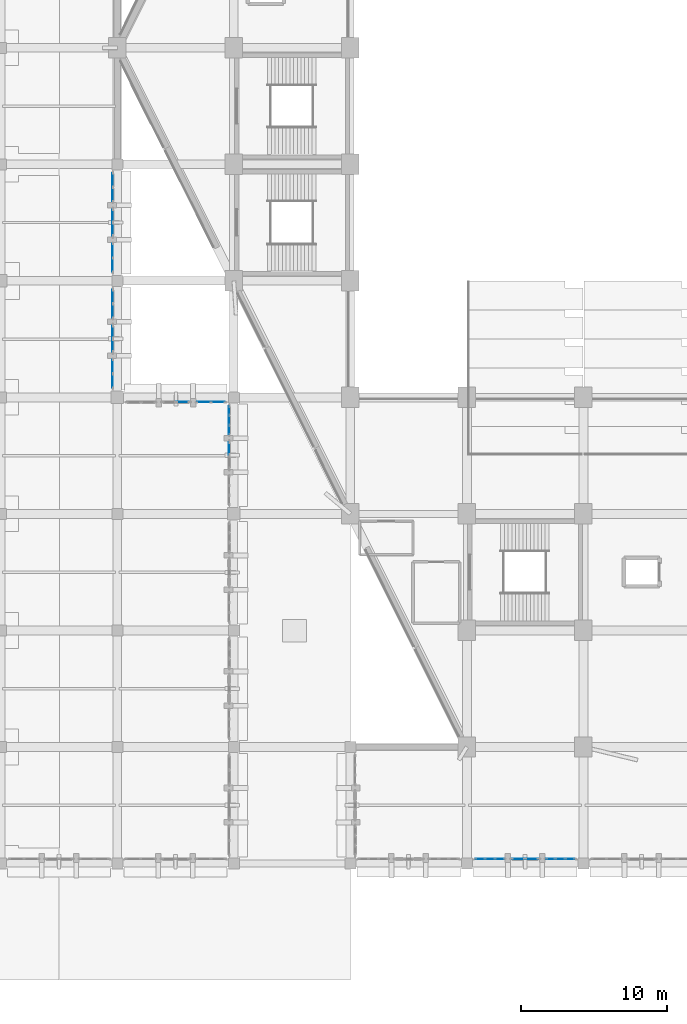
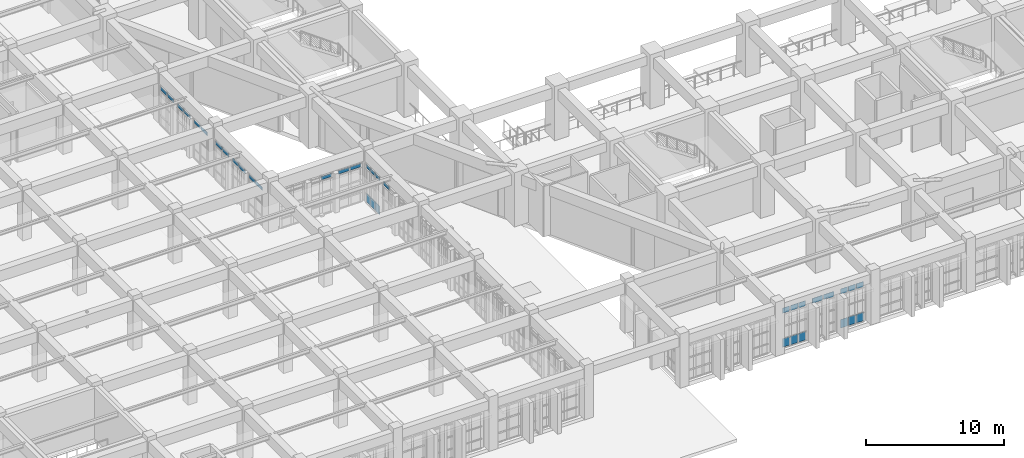
# One storey, part 122 of 155: 36 plates, 13 elements without a shape of their own.
"""IFC4 building model written with IfcOpenShell, lengths in metres."""

from ifc_helpers import new_model, si_unit, direction, frame, origin, origin_2d, place, context, subcontext, project, spatial, rectangle, extrude, material, layer, layer_set, type_object, element, aggregate, save


model = new_model("IFC4")

# Units and contexts
model_context = context("Model", 3, precision=1e-05, world=origin(), true_north=direction((0.0, 1.0)))
body_context = subcontext(model_context, "Body", "Model", "MODEL_VIEW")
ifc_project = project(units=[si_unit("LENGTHUNIT", "METRE"), si_unit("AREAUNIT", "SQUARE_METRE"), si_unit("VOLUMEUNIT", "CUBIC_METRE"), si_unit("PLANEANGLEUNIT", "RADIAN"), si_unit("MASSUNIT", "GRAM", prefix="KILO")], contexts=[model_context])

# Site, building, storey
site_placement = place(None, origin())
site = spatial("IfcSite", under=ifc_project, at=site_placement, CompositionType="ELEMENT")
building_placement = place(site_placement, origin())
building = spatial("IfcBuilding", under=site, at=building_placement, Name="Tazarka Park Arena", CompositionType="ELEMENT")
storey_placement = place(building_placement, frame((0.0, 0.0, 5.39990234375)))
storey = spatial("IfcBuildingStorey", under=building, at=storey_placement, Name="L01", CompositionType="ELEMENT", Elevation=5.39990234375)

# Curtain wall, plates
ifc_material_1 = material(Name="Aluminium and low-e glass", Category="aluminium")
ifc_layer_1 = layer(ifc_material_1, 0.179931640625, Name="Aluminium and low-e glass")
ifc_layer_set_1 = layer_set([ifc_layer_1], Name="Aluminium and low-e glass")
curtain_wall_type_1 = type_object("IfcCurtainWallType", Name="CW-09", PredefinedType="NOTDEFINED", material=ifc_layer_set_1)
curtain_wall_1_placement = place(storey_placement, origin())
curtain_wall_1 = element("IfcCurtainWall", 1, at=curtain_wall_1_placement, inside=storey, type_object=curtain_wall_type_1, Name="Curtain Wall CWA-L01-009", PredefinedType="NOTDEFINED")
ifc_material_2 = material(Name="Double low-e insulated glazing", Category="glass")
ifc_layer_2 = layer(ifc_material_2, 0.028076171875, Name="Double low-e insulated glazing")
ifc_layer_set_2 = layer_set([ifc_layer_2], Name="Double low-e insulated glazing")
plate_type_1 = type_object("IfcPlateType", Name="CWP-01", PredefinedType="CURTAIN_PANEL", material=ifc_layer_set_2)
plate_1_placement = place(storey_placement, frame((66.249755859375, 8.320068359375, 0.065185546875), z_axis=(0.0, 0.0, 1.0), x_axis=(-1.0, 0.0, 0.0)))
plate_1 = element("IfcPlate", 2, at=plate_1_placement, type_object=plate_type_1, Name="CW-09 panel 1.1", PredefinedType="CURTAIN_PANEL", context=body_context, shape_type="SweptSolid", body=[
    extrude(rectangle(XDim=0.5869140625, YDim=0.028076171875, at=origin_2d()), origin(), (0.0, 0.0, 1.0), 0.75244140625),
])
plate_2_placement = place(storey_placement, frame((66.249755859375, 8.320068359375, 3.08251953125), z_axis=(0.0, 0.0, 1.0), x_axis=(-1.0, 0.0, 0.0)))
plate_2 = element("IfcPlate", 3, at=plate_2_placement, type_object=plate_type_1, Name="CW-09 panel 1.4", PredefinedType="CURTAIN_PANEL", context=body_context, shape_type="SweptSolid", body=[
    extrude(rectangle(XDim=0.5869140625, YDim=0.028076171875, at=origin_2d()), origin(), (0.0, 0.0, 1.0), 0.452392578125),
])
plate_3_placement = place(storey_placement, frame((65.58154296875, 8.320068359375, 0.065185546875), z_axis=(0.0, 0.0, 1.0), x_axis=(-1.0, 0.0, 0.0)))
plate_3 = element("IfcPlate", 4, at=plate_3_placement, type_object=plate_type_1, Name="CW-09 panel 2.1", PredefinedType="CURTAIN_PANEL", context=body_context, shape_type="SweptSolid", body=[
    extrude(rectangle(XDim=0.619384765625, YDim=0.028076171875, at=origin_2d()), origin(), (0.0, 0.0, 1.0), 0.75244140625),
])
plate_4_placement = place(storey_placement, frame((65.58154296875, 8.320068359375, 3.08251953125), z_axis=(0.0, 0.0, 1.0), x_axis=(-1.0, 0.0, 0.0)))
plate_4 = element("IfcPlate", 5, at=plate_4_placement, type_object=plate_type_1, Name="CW-09 panel 2.4", PredefinedType="CURTAIN_PANEL", context=body_context, shape_type="SweptSolid", body=[
    extrude(rectangle(XDim=0.619384765625, YDim=0.028076171875, at=origin_2d()), origin(), (0.0, 0.0, 1.0), 0.452392578125),
])
plate_5_placement = place(storey_placement, frame((64.91357421875, 8.320068359375, 0.065185546875), z_axis=(0.0, 0.0, 1.0), x_axis=(-1.0, 0.0, 0.0)))
plate_5 = element("IfcPlate", 6, at=plate_5_placement, type_object=plate_type_1, Name="CW-09 panel 3.1", PredefinedType="CURTAIN_PANEL", context=body_context, shape_type="SweptSolid", body=[
    extrude(rectangle(XDim=0.5869140625, YDim=0.028076171875, at=origin_2d()), origin(), (0.0, 0.0, 1.0), 0.75244140625),
])
plate_6_placement = place(storey_placement, frame((64.91357421875, 8.320068359375, 3.08251953125), z_axis=(0.0, 0.0, 1.0), x_axis=(-1.0, 0.0, 0.0)))
plate_6 = element("IfcPlate", 7, at=plate_6_placement, type_object=plate_type_1, Name="CW-09 panel 3.4", PredefinedType="CURTAIN_PANEL", context=body_context, shape_type="SweptSolid", body=[
    extrude(rectangle(XDim=0.5869140625, YDim=0.028076171875, at=origin_2d()), origin(), (0.0, 0.0, 1.0), 0.452392578125),
])
aggregate(curtain_wall_1, [plate_1, plate_2, plate_3, plate_4, plate_5, plate_6])

ifc_material_3 = material(Name="Aluminium and low-e glass", Category="aluminium")
ifc_layer_3 = layer(ifc_material_3, 0.179931640625, Name="Aluminium and low-e glass")
ifc_layer_set_3 = layer_set([ifc_layer_3], Name="Aluminium and low-e glass")
curtain_wall_type_2 = type_object("IfcCurtainWallType", Name="CW-12", PredefinedType="NOTDEFINED", material=ifc_layer_set_3)
curtain_wall_2_placement = place(storey_placement, origin())
curtain_wall_2 = element("IfcCurtainWall", 8, at=curtain_wall_2_placement, inside=storey, type_object=curtain_wall_type_2, Name="Curtain Wall CWA-L01-102", PredefinedType="NOTDEFINED")
plate_7_placement = place(storey_placement, frame((45.933837890625, 39.679931640625, 3.08251953125), z_axis=(0.0, 0.0, 1.0), x_axis=(1.0, 0.0, 0.0)))
plate_7 = element("IfcPlate", 9, at=plate_7_placement, type_object=plate_type_1, Name="CW-12 panel 1.4", PredefinedType="CURTAIN_PANEL", context=body_context, shape_type="SweptSolid", body=[
    extrude(rectangle(XDim=0.9208984375, YDim=0.028076171875, at=origin_2d()), origin(), (0.0, 0.0, 1.0), 0.302490234375),
])
plate_8_placement = place(storey_placement, frame((46.919677734375, 39.679931640625, 3.08251953125), z_axis=(0.0, 0.0, 1.0), x_axis=(1.0, 0.0, 0.0)))
plate_8 = element("IfcPlate", 10, at=plate_8_placement, type_object=plate_type_1, Name="CW-12 panel 2.4", PredefinedType="CURTAIN_PANEL", context=body_context, shape_type="SweptSolid", body=[
    extrude(rectangle(XDim=0.9208984375, YDim=0.028076171875, at=origin_2d()), origin(), (0.0, 0.0, 1.0), 0.302490234375),
])
aggregate(curtain_wall_2, [plate_7, plate_8])

ifc_material_4 = material(Name="Aluminium and low-e glass", Category="aluminium")
ifc_layer_4 = layer(ifc_material_4, 0.179931640625, Name="Aluminium and low-e glass")
ifc_layer_set_4 = layer_set([ifc_layer_4], Name="Aluminium and low-e glass")
curtain_wall_type_3 = type_object("IfcCurtainWallType", Name="CW-15", PredefinedType="NOTDEFINED", material=ifc_layer_set_4)
curtain_wall_3_placement = place(storey_placement, origin())
curtain_wall_3 = element("IfcCurtainWall", 11, at=curtain_wall_3_placement, inside=storey, type_object=curtain_wall_type_3, Name="Curtain Wall CWA-L01-105", PredefinedType="NOTDEFINED")
plate_9_placement = place(storey_placement, frame((39.679931640625, 42.1162109375, 3.08251953125), z_axis=(0.0, 0.0, 1.0), x_axis=(0.0, -1.0, 0.0)))
plate_9 = element("IfcPlate", 12, at=plate_9_placement, type_object=plate_type_1, Name="CW-15 panel 1.4", PredefinedType="CURTAIN_PANEL", context=body_context, shape_type="SweptSolid", body=[
    extrude(rectangle(XDim=0.9208984375, YDim=0.028076171875, at=origin_2d()), origin(), (0.0, 0.0, 1.0), 0.302490234375),
])
plate_10_placement = place(storey_placement, frame((39.679931640625, 41.13037109375, 3.08251953125), z_axis=(0.0, 0.0, 1.0), x_axis=(0.0, -1.0, 0.0)))
plate_10 = element("IfcPlate", 13, at=plate_10_placement, type_object=plate_type_1, Name="CW-15 panel 2.4", PredefinedType="CURTAIN_PANEL", context=body_context, shape_type="SweptSolid", body=[
    extrude(rectangle(XDim=0.9208984375, YDim=0.028076171875, at=origin_2d()), origin(), (0.0, 0.0, 1.0), 0.302490234375),
])
aggregate(curtain_wall_3, [plate_9, plate_10])

ifc_material_5 = material(Name="Aluminium and low-e glass", Category="aluminium")
ifc_layer_5 = layer(ifc_material_5, 0.179931640625, Name="Aluminium and low-e glass")
ifc_layer_set_5 = layer_set([ifc_layer_5], Name="Aluminium and low-e glass")
curtain_wall_type_4 = type_object("IfcCurtainWallType", Name="CW-18", PredefinedType="NOTDEFINED", material=ifc_layer_set_5)
curtain_wall_4_placement = place(storey_placement, origin())
curtain_wall_4 = element("IfcCurtainWall", 14, at=curtain_wall_4_placement, inside=storey, type_object=curtain_wall_type_4, Name="Curtain Wall CWA-L01-108", PredefinedType="NOTDEFINED")
plate_11_placement = place(storey_placement, frame((39.679931640625, 50.07861328125, 3.08251953125), z_axis=(0.0, 0.0, 1.0), x_axis=(0.0, -1.0, 0.0)))
plate_11 = element("IfcPlate", 15, at=plate_11_placement, type_object=plate_type_1, Name="CW-18 panel 1.4", PredefinedType="CURTAIN_PANEL", context=body_context, shape_type="SweptSolid", body=[
    extrude(rectangle(XDim=0.92919921875, YDim=0.028076171875, at=origin_2d()), origin(), (0.0, 0.0, 1.0), 0.302490234375),
])
plate_12_placement = place(storey_placement, frame((39.679931640625, 49.08447265625, 3.08251953125), z_axis=(0.0, 0.0, 1.0), x_axis=(0.0, -1.0, 0.0)))
plate_12 = element("IfcPlate", 16, at=plate_12_placement, type_object=plate_type_1, Name="CW-18 panel 2.4", PredefinedType="CURTAIN_PANEL", context=body_context, shape_type="SweptSolid", body=[
    extrude(rectangle(XDim=0.92919921875, YDim=0.028076171875, at=origin_2d()), origin(), (0.0, 0.0, 1.0), 0.302490234375),
])
aggregate(curtain_wall_4, [plate_11, plate_12])

ifc_material_6 = material(Name="Aluminium and low-e glass", Category="aluminium")
ifc_layer_6 = layer(ifc_material_6, 0.179931640625, Name="Aluminium and low-e glass")
ifc_layer_set_6 = layer_set([ifc_layer_6], Name="Aluminium and low-e glass")
curtain_wall_type_5 = type_object("IfcCurtainWallType", Name="CW-07", PredefinedType="NOTDEFINED", material=ifc_layer_set_6)
curtain_wall_5_placement = place(storey_placement, origin())
curtain_wall_5 = element("IfcCurtainWall", 17, at=curtain_wall_5_placement, inside=storey, type_object=curtain_wall_type_5, Name="Curtain Wall CWA-L01-007", PredefinedType="NOTDEFINED")
ifc_material_7 = material(Name="Triple acoustic solar glazing", Category="glass")
ifc_layer_7 = layer(ifc_material_7, 0.031982421875, Name="Triple acoustic solar glazing")
ifc_layer_set_7 = layer_set([ifc_layer_7], Name="Triple acoustic solar glazing")
plate_type_2 = type_object("IfcPlateType", Name="CWP-02", PredefinedType="CURTAIN_PANEL", material=ifc_layer_set_7)
plate_13_placement = place(storey_placement, frame((71.08642578125, 8.320068359375, 0.065185546875), z_axis=(0.0, 0.0, 1.0), x_axis=(-1.0, 0.0, 0.0)))
plate_13 = element("IfcPlate", 18, at=plate_13_placement, type_object=plate_type_2, Name="CW-07 panel 1.1", PredefinedType="CURTAIN_PANEL", context=body_context, shape_type="SweptSolid", body=[
    extrude(rectangle(XDim=0.5869140625, YDim=0.031982421875, at=origin_2d()), origin(), (0.0, 0.0, 1.0), 0.75244140625),
])
plate_14_placement = place(storey_placement, frame((71.08642578125, 8.320068359375, 3.08251953125), z_axis=(0.0, 0.0, 1.0), x_axis=(-1.0, 0.0, 0.0)))
plate_14 = element("IfcPlate", 19, at=plate_14_placement, type_object=plate_type_2, Name="CW-07 panel 1.4", PredefinedType="CURTAIN_PANEL", context=body_context, shape_type="SweptSolid", body=[
    extrude(rectangle(XDim=0.5869140625, YDim=0.031982421875, at=origin_2d()), origin(), (0.0, 0.0, 1.0), 0.452392578125),
])
plate_15_placement = place(storey_placement, frame((70.41845703125, 8.320068359375, 0.065185546875), z_axis=(0.0, 0.0, 1.0), x_axis=(-1.0, 0.0, 0.0)))
plate_15 = element("IfcPlate", 20, at=plate_15_placement, type_object=plate_type_2, Name="CW-07 panel 2.1", PredefinedType="CURTAIN_PANEL", context=body_context, shape_type="SweptSolid", body=[
    extrude(rectangle(XDim=0.619384765625, YDim=0.031982421875, at=origin_2d()), origin(), (0.0, 0.0, 1.0), 0.75244140625),
])
plate_16_placement = place(storey_placement, frame((70.41845703125, 8.320068359375, 3.08251953125), z_axis=(0.0, 0.0, 1.0), x_axis=(-1.0, 0.0, 0.0)))
plate_16 = element("IfcPlate", 21, at=plate_16_placement, type_object=plate_type_2, Name="CW-07 panel 2.4", PredefinedType="CURTAIN_PANEL", context=body_context, shape_type="SweptSolid", body=[
    extrude(rectangle(XDim=0.619384765625, YDim=0.031982421875, at=origin_2d()), origin(), (0.0, 0.0, 1.0), 0.452392578125),
])
plate_17_placement = place(storey_placement, frame((69.750244140625, 8.320068359375, 0.065185546875), z_axis=(0.0, 0.0, 1.0), x_axis=(-1.0, 0.0, 0.0)))
plate_17 = element("IfcPlate", 22, at=plate_17_placement, type_object=plate_type_2, Name="CW-07 panel 3.1", PredefinedType="CURTAIN_PANEL", context=body_context, shape_type="SweptSolid", body=[
    extrude(rectangle(XDim=0.5869140625, YDim=0.031982421875, at=origin_2d()), origin(), (0.0, 0.0, 1.0), 0.75244140625),
])
plate_18_placement = place(storey_placement, frame((69.750244140625, 8.320068359375, 3.08251953125), z_axis=(0.0, 0.0, 1.0), x_axis=(-1.0, 0.0, 0.0)))
plate_18 = element("IfcPlate", 23, at=plate_18_placement, type_object=plate_type_2, Name="CW-07 panel 3.4", PredefinedType="CURTAIN_PANEL", context=body_context, shape_type="SweptSolid", body=[
    extrude(rectangle(XDim=0.5869140625, YDim=0.031982421875, at=origin_2d()), origin(), (0.0, 0.0, 1.0), 0.452392578125),
])
aggregate(curtain_wall_5, [plate_13, plate_14, plate_15, plate_16, plate_17, plate_18])

curtain_wall_6_placement = place(storey_placement, origin())
curtain_wall_6 = element("IfcCurtainWall", 24, at=curtain_wall_6_placement, inside=storey, type_object=curtain_wall_type_5, Name="Curtain Wall CWA-L01-097", PredefinedType="NOTDEFINED")
plate_19_placement = place(storey_placement, frame((47.679931640625, 39.08935546875, 0.065185546875), z_axis=(0.0, 0.0, 1.0), x_axis=(0.0, -1.0, 0.0)))
plate_19 = element("IfcPlate", 25, at=plate_19_placement, type_object=plate_type_2, Name="CW-07 panel 1.1", PredefinedType="CURTAIN_PANEL", context=body_context, shape_type="SweptSolid", body=[
    extrude(rectangle(XDim=0.581298828125, YDim=0.031982421875, at=origin_2d()), origin(), (0.0, 0.0, 1.0), 0.75244140625),
])
plate_20_placement = place(storey_placement, frame((47.679931640625, 39.08935546875, 3.08251953125), z_axis=(0.0, 0.0, 1.0), x_axis=(0.0, -1.0, 0.0)))
plate_20 = element("IfcPlate", 26, at=plate_20_placement, type_object=plate_type_2, Name="CW-07 panel 1.4", PredefinedType="CURTAIN_PANEL", context=body_context, shape_type="SweptSolid", body=[
    extrude(rectangle(XDim=0.581298828125, YDim=0.031982421875, at=origin_2d()), origin(), (0.0, 0.0, 1.0), 0.302490234375),
])
plate_21_placement = place(storey_placement, frame((47.679931640625, 38.4267578125, 0.065185546875), z_axis=(0.0, 0.0, 1.0), x_axis=(0.0, -1.0, 0.0)))
plate_21 = element("IfcPlate", 27, at=plate_21_placement, type_object=plate_type_2, Name="CW-07 panel 2.1", PredefinedType="CURTAIN_PANEL", context=body_context, shape_type="SweptSolid", body=[
    extrude(rectangle(XDim=0.614013671875, YDim=0.031982421875, at=origin_2d()), origin(), (0.0, 0.0, 1.0), 0.75244140625),
])
plate_22_placement = place(storey_placement, frame((47.679931640625, 38.4267578125, 3.08251953125), z_axis=(0.0, 0.0, 1.0), x_axis=(0.0, -1.0, 0.0)))
plate_22 = element("IfcPlate", 28, at=plate_22_placement, type_object=plate_type_2, Name="CW-07 panel 2.4", PredefinedType="CURTAIN_PANEL", context=body_context, shape_type="SweptSolid", body=[
    extrude(rectangle(XDim=0.614013671875, YDim=0.031982421875, at=origin_2d()), origin(), (0.0, 0.0, 1.0), 0.302490234375),
])
plate_23_placement = place(storey_placement, frame((47.679931640625, 37.763916015625, 0.065185546875), z_axis=(0.0, 0.0, 1.0), x_axis=(0.0, -1.0, 0.0)))
plate_23 = element("IfcPlate", 29, at=plate_23_placement, type_object=plate_type_2, Name="CW-07 panel 3.1", PredefinedType="CURTAIN_PANEL", context=body_context, shape_type="SweptSolid", body=[
    extrude(rectangle(XDim=0.581298828125, YDim=0.031982421875, at=origin_2d()), origin(), (0.0, 0.0, 1.0), 0.75244140625),
])
plate_24_placement = place(storey_placement, frame((47.679931640625, 37.763916015625, 3.08251953125), z_axis=(0.0, 0.0, 1.0), x_axis=(0.0, -1.0, 0.0)))
plate_24 = element("IfcPlate", 30, at=plate_24_placement, type_object=plate_type_2, Name="CW-07 panel 3.4", PredefinedType="CURTAIN_PANEL", context=body_context, shape_type="SweptSolid", body=[
    extrude(rectangle(XDim=0.581298828125, YDim=0.031982421875, at=origin_2d()), origin(), (0.0, 0.0, 1.0), 0.302490234375),
])
aggregate(curtain_wall_6, [plate_19, plate_20, plate_21, plate_22, plate_23, plate_24])

ifc_material_8 = material(Name="Aluminium and low-e glass", Category="aluminium")
ifc_layer_8 = layer(ifc_material_8, 0.179931640625, Name="Aluminium and low-e glass")
ifc_layer_set_8 = layer_set([ifc_layer_8], Name="Aluminium and low-e glass")
curtain_wall_type_6 = type_object("IfcCurtainWallType", Name="CW-13", PredefinedType="NOTDEFINED", material=ifc_layer_set_8)
curtain_wall_7_placement = place(storey_placement, origin())
curtain_wall_7 = element("IfcCurtainWall", 31, at=curtain_wall_7_placement, inside=storey, type_object=curtain_wall_type_6, Name="Curtain Wall CWA-L01-103", PredefinedType="NOTDEFINED")
plate_25_placement = place(storey_placement, frame((39.679931640625, 46.919677734375, 3.08251953125), z_axis=(0.0, 0.0, 1.0), x_axis=(0.0, -1.0, 0.0)))
plate_25 = element("IfcPlate", 32, at=plate_25_placement, type_object=plate_type_2, Name="CW-13 panel 1.4", PredefinedType="CURTAIN_PANEL", context=body_context, shape_type="SweptSolid", body=[
    extrude(rectangle(XDim=0.9208984375, YDim=0.031982421875, at=origin_2d()), origin(), (0.0, 0.0, 1.0), 0.302490234375),
])
plate_26_placement = place(storey_placement, frame((39.679931640625, 45.933837890625, 3.08251953125), z_axis=(0.0, 0.0, 1.0), x_axis=(0.0, -1.0, 0.0)))
plate_26 = element("IfcPlate", 33, at=plate_26_placement, type_object=plate_type_2, Name="CW-13 panel 2.4", PredefinedType="CURTAIN_PANEL", context=body_context, shape_type="SweptSolid", body=[
    extrude(rectangle(XDim=0.9208984375, YDim=0.031982421875, at=origin_2d()), origin(), (0.0, 0.0, 1.0), 0.302490234375),
])
aggregate(curtain_wall_7, [plate_25, plate_26])

ifc_material_9 = material(Name="Aluminium and low-e glass", Category="aluminium")
ifc_layer_9 = layer(ifc_material_9, 0.179931640625, Name="Aluminium and low-e glass")
ifc_layer_set_9 = layer_set([ifc_layer_9], Name="Aluminium and low-e glass")
curtain_wall_type_7 = type_object("IfcCurtainWallType", Name="CW-16", PredefinedType="NOTDEFINED", material=ifc_layer_set_9)
curtain_wall_8_placement = place(storey_placement, origin())
curtain_wall_8 = element("IfcCurtainWall", 34, at=curtain_wall_8_placement, inside=storey, type_object=curtain_wall_type_7, Name="Curtain Wall CWA-L01-106", PredefinedType="NOTDEFINED")
plate_27_placement = place(storey_placement, frame((39.679931640625, 54.91552734375, 3.08251953125), z_axis=(0.0, 0.0, 1.0), x_axis=(0.0, -1.0, 0.0)))
plate_27 = element("IfcPlate", 35, at=plate_27_placement, type_object=plate_type_2, Name="CW-16 panel 1.4", PredefinedType="CURTAIN_PANEL", context=body_context, shape_type="SweptSolid", body=[
    extrude(rectangle(XDim=0.92919921875, YDim=0.031982421875, at=origin_2d()), origin(), (0.0, 0.0, 1.0), 0.302490234375),
])
plate_28_placement = place(storey_placement, frame((39.679931640625, 53.92138671875, 3.08251953125), z_axis=(0.0, 0.0, 1.0), x_axis=(0.0, -1.0, 0.0)))
plate_28 = element("IfcPlate", 36, at=plate_28_placement, type_object=plate_type_2, Name="CW-16 panel 2.4", PredefinedType="CURTAIN_PANEL", context=body_context, shape_type="SweptSolid", body=[
    extrude(rectangle(XDim=0.92919921875, YDim=0.031982421875, at=origin_2d()), origin(), (0.0, 0.0, 1.0), 0.302490234375),
])
aggregate(curtain_wall_8, [plate_27, plate_28])

ifc_material_10 = material(Name="Aluminium and low-e glass", Category="aluminium")
ifc_layer_10 = layer(ifc_material_10, 0.179931640625, Name="Aluminium and low-e glass")
ifc_layer_set_10 = layer_set([ifc_layer_10], Name="Aluminium and low-e glass")
curtain_wall_type_8 = type_object("IfcCurtainWallType", Name="CW-08", PredefinedType="NOTDEFINED", material=ifc_layer_set_10)
curtain_wall_9_placement = place(storey_placement, origin())
curtain_wall_9 = element("IfcCurtainWall", 37, at=curtain_wall_9_placement, inside=storey, type_object=curtain_wall_type_8, Name="Curtain Wall CWA-L01-008", PredefinedType="NOTDEFINED")
ifc_material_11 = material(Name="Insulated aluminium spandrel panel", Category="aluminium")
ifc_layer_11 = layer(ifc_material_11, 0.035888671875, Name="Insulated aluminium spandrel panel")
ifc_layer_set_11 = layer_set([ifc_layer_11], Name="Insulated aluminium spandrel panel")
plate_type_3 = type_object("IfcPlateType", Name="CWP-03", PredefinedType="CURTAIN_PANEL", material=ifc_layer_set_11)
plate_29_placement = place(storey_placement, frame((68.467041015625, 8.320068359375, 3.087646484375), z_axis=(0.0, 0.0, 1.0), x_axis=(-1.0, 0.0, 0.0)))
plate_29 = element("IfcPlate", 38, at=plate_29_placement, type_object=plate_type_3, Name="CW-08 panel 1.4", PredefinedType="CURTAIN_PANEL", context=body_context, shape_type="SweptSolid", body=[
    extrude(rectangle(XDim=0.859130859375, YDim=0.035888671875, at=origin_2d()), origin(), (0.0, 0.0, 1.0), 0.4375),
])
plate_30_placement = place(storey_placement, frame((67.532958984375, 8.320068359375, 3.087646484375), z_axis=(0.0, 0.0, 1.0), x_axis=(-1.0, 0.0, 0.0)))
plate_30 = element("IfcPlate", 39, at=plate_30_placement, type_object=plate_type_3, Name="CW-08 panel 2.4", PredefinedType="CURTAIN_PANEL", context=body_context, shape_type="SweptSolid", body=[
    extrude(rectangle(XDim=0.859130859375, YDim=0.035888671875, at=origin_2d()), origin(), (0.0, 0.0, 1.0), 0.4375),
])
aggregate(curtain_wall_9, [plate_29, plate_30])

# Curtain wall, plate
curtain_wall_10_placement = place(storey_placement, origin())
curtain_wall_10 = element("IfcCurtainWall", 40, at=curtain_wall_10_placement, inside=storey, type_object=curtain_wall_type_8, Name="Curtain Wall CWA-L01-098", PredefinedType="NOTDEFINED")
plate_31_placement = place(storey_placement, frame((47.679931640625, 36.48779296875, 3.087646484375), z_axis=(0.0, 0.0, 1.0), x_axis=(0.0, -1.0, 0.0)))
plate_31 = element("IfcPlate", 41, at=plate_31_placement, type_object=plate_type_3, Name="CW-08 panel 1.4", PredefinedType="CURTAIN_PANEL", context=body_context, shape_type="SweptSolid", body=[
    extrude(rectangle(XDim=0.850830078125, YDim=0.035888671875, at=origin_2d()), origin(), (0.0, 0.0, 1.0), 0.28759765625),
])
aggregate(curtain_wall_10, [plate_31])

ifc_material_12 = material(Name="Aluminium and low-e glass", Category="aluminium")
ifc_layer_12 = layer(ifc_material_12, 0.179931640625, Name="Aluminium and low-e glass")
ifc_layer_set_12 = layer_set([ifc_layer_12], Name="Aluminium and low-e glass")
curtain_wall_type_9 = type_object("IfcCurtainWallType", Name="CW-11", PredefinedType="NOTDEFINED", material=ifc_layer_set_12)
curtain_wall_11_placement = place(storey_placement, origin())
curtain_wall_11 = element("IfcCurtainWall", 42, at=curtain_wall_11_placement, inside=storey, type_object=curtain_wall_type_9, Name="Curtain Wall CWA-L01-101", PredefinedType="NOTDEFINED")
plate_32_placement = place(storey_placement, frame((44.48779296875, 39.679931640625, 3.087646484375), z_axis=(0.0, 0.0, 1.0), x_axis=(1.0, 0.0, 0.0)))
plate_32 = element("IfcPlate", 43, at=plate_32_placement, type_object=plate_type_3, Name="CW-11 panel 2.4", PredefinedType="CURTAIN_PANEL", context=body_context, shape_type="SweptSolid", body=[
    extrude(rectangle(XDim=0.850830078125, YDim=0.035888671875, at=origin_2d()), origin(), (0.0, 0.0, 1.0), 0.28759765625),
])
aggregate(curtain_wall_11, [plate_32])

# Curtain wall, plates
ifc_material_13 = material(Name="Aluminium and low-e glass", Category="aluminium")
ifc_layer_13 = layer(ifc_material_13, 0.179931640625, Name="Aluminium and low-e glass")
ifc_layer_set_13 = layer_set([ifc_layer_13], Name="Aluminium and low-e glass")
curtain_wall_type_10 = type_object("IfcCurtainWallType", Name="CW-14", PredefinedType="NOTDEFINED", material=ifc_layer_set_13)
curtain_wall_12_placement = place(storey_placement, origin())
curtain_wall_12 = element("IfcCurtainWall", 44, at=curtain_wall_12_placement, inside=storey, type_object=curtain_wall_type_10, Name="Curtain Wall CWA-L01-104", PredefinedType="NOTDEFINED")
plate_33_placement = place(storey_placement, frame((39.679931640625, 44.48779296875, 3.087646484375), z_axis=(0.0, 0.0, 1.0), x_axis=(0.0, -1.0, 0.0)))
plate_33 = element("IfcPlate", 45, at=plate_33_placement, type_object=plate_type_3, Name="CW-14 panel 1.4", PredefinedType="CURTAIN_PANEL", context=body_context, shape_type="SweptSolid", body=[
    extrude(rectangle(XDim=0.850830078125, YDim=0.035888671875, at=origin_2d()), origin(), (0.0, 0.0, 1.0), 0.28759765625),
])
plate_34_placement = place(storey_placement, frame((39.679931640625, 43.56201171875, 3.087646484375), z_axis=(0.0, 0.0, 1.0), x_axis=(0.0, -1.0, 0.0)))
plate_34 = element("IfcPlate", 46, at=plate_34_placement, type_object=plate_type_3, Name="CW-14 panel 2.4", PredefinedType="CURTAIN_PANEL", context=body_context, shape_type="SweptSolid", body=[
    extrude(rectangle(XDim=0.850830078125, YDim=0.035888671875, at=origin_2d()), origin(), (0.0, 0.0, 1.0), 0.28759765625),
])
aggregate(curtain_wall_12, [plate_33, plate_34])

ifc_material_14 = material(Name="Aluminium and low-e glass", Category="aluminium")
ifc_layer_14 = layer(ifc_material_14, 0.179931640625, Name="Aluminium and low-e glass")
ifc_layer_set_14 = layer_set([ifc_layer_14], Name="Aluminium and low-e glass")
curtain_wall_type_11 = type_object("IfcCurtainWallType", Name="CW-17", PredefinedType="NOTDEFINED", material=ifc_layer_set_14)
curtain_wall_13_placement = place(storey_placement, origin())
curtain_wall_13 = element("IfcCurtainWall", 47, at=curtain_wall_13_placement, inside=storey, type_object=curtain_wall_type_11, Name="Curtain Wall CWA-L01-107", PredefinedType="NOTDEFINED")
plate_35_placement = place(storey_placement, frame((39.679931640625, 52.467041015625, 3.087646484375), z_axis=(0.0, 0.0, 1.0), x_axis=(0.0, -1.0, 0.0)))
plate_35 = element("IfcPlate", 48, at=plate_35_placement, type_object=plate_type_3, Name="CW-17 panel 1.4", PredefinedType="CURTAIN_PANEL", context=body_context, shape_type="SweptSolid", body=[
    extrude(rectangle(XDim=0.859130859375, YDim=0.035888671875, at=origin_2d()), origin(), (0.0, 0.0, 1.0), 0.28759765625),
])
plate_36_placement = place(storey_placement, frame((39.679931640625, 51.532958984375, 3.087646484375), z_axis=(0.0, 0.0, 1.0), x_axis=(0.0, -1.0, 0.0)))
plate_36 = element("IfcPlate", 49, at=plate_36_placement, type_object=plate_type_3, Name="CW-17 panel 2.4", PredefinedType="CURTAIN_PANEL", context=body_context, shape_type="SweptSolid", body=[
    extrude(rectangle(XDim=0.859130859375, YDim=0.035888671875, at=origin_2d()), origin(), (0.0, 0.0, 1.0), 0.28759765625),
])
aggregate(curtain_wall_13, [plate_35, plate_36])

save(model, "model.ifc")
